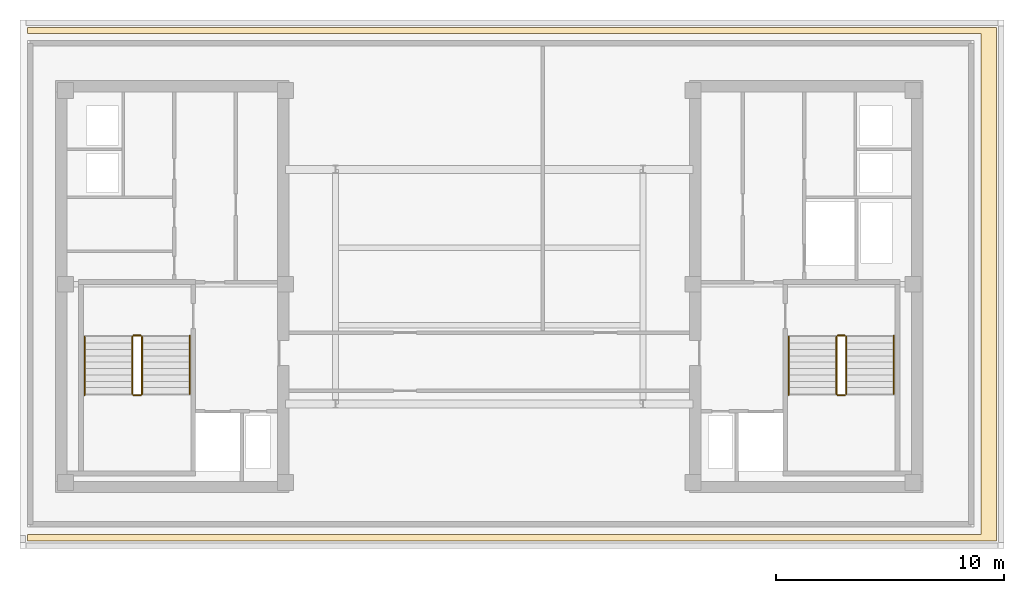
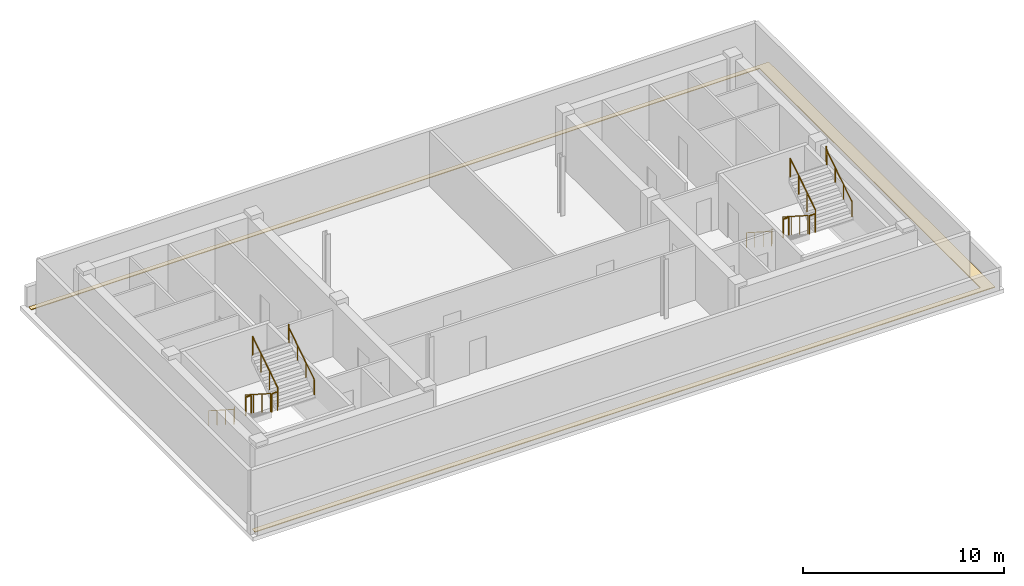
# One storey, part 5 of 5: 12 railings, 1 covering.
"""IFC4 building model written with IfcOpenShell, lengths in metres."""

from ifc_helpers import new_model, si_unit, direction, frame, origin, origin_2d, place, context, subcontext, project, spatial, polyline, circle, outline, extrude, material, layer, layer_set, type_object, element, save


model = new_model("IFC4")

# Units and contexts
model_context = context("Model", 3, precision=1e-05, world=origin(), true_north=direction((0.0, 1.0)))
body_context = subcontext(model_context, "Body", "Model", "MODEL_VIEW")
ifc_project = project(units=[si_unit("LENGTHUNIT", "METRE"), si_unit("AREAUNIT", "SQUARE_METRE"), si_unit("VOLUMEUNIT", "CUBIC_METRE"), si_unit("PLANEANGLEUNIT", "RADIAN"), si_unit("MASSUNIT", "GRAM", prefix="KILO")], contexts=[model_context])

# Site, building, storey
site_placement = place(None, origin())
site = spatial("IfcSite", under=ifc_project, at=site_placement, CompositionType="ELEMENT")
building_placement = place(site_placement, origin())
building = spatial("IfcBuilding", under=site, at=building_placement, Name="Velakula Bourse", CompositionType="ELEMENT")
storey_placement = place(building_placement, frame((0.0, 0.0, 301.35009765625)))
storey = spatial("IfcBuildingStorey", under=building, at=storey_placement, Name="L82", CompositionType="ELEMENT", Elevation=301.35009765625)

# Covering
ifc_material_1 = material(Name="Modified bitumen SBS waterproofing membrane", Category="bitumen")
ifc_layer = layer(ifc_material_1, 0.044921875, Name="Modified bitumen SBS waterproofing membrane", Category="bitumen")
ifc_layer_set = layer_set([ifc_layer], Name="Modified bitumen SBS waterproofing membrane")
covering_type = type_object("IfcCoveringType", Name="COV-ROOF-SBS-45", PredefinedType="ROOFING", material=ifc_layer_set)
covering_placement = place(storey_placement, origin())
element("IfcCovering", 1, at=covering_placement, inside=storey, type_object=covering_type, Name="L82 SBS Waterproofing Roof Membrane 1", PredefinedType="ROOFING", context=body_context, shape_type="SweptSolid", body=[
    extrude(outline(polyline([(-20.280029296875, -10.8798828125), (21.60009765625, -10.8798828125), (21.60009765625, 11.1201171875), (-20.280029296875, 11.1201171875), (-20.280029296875, 11.3798828125), (22.280029296875, 11.3798828125), (22.280029296875, -11.179931640625), (-20.280029296875, -11.179931640625), (-20.280029296875, -10.8798828125)])), origin(), (0.0, 0.0, 1.0), 0.044921875),
])

# Railings
ifc_material_2 = material(Name="Brushed grade 316 stainless steel", Category="steel")
railing_type_1 = type_object("IfcRailingType", Name="RLG-STAIR-GUARD-1150", PredefinedType="BALUSTRADE", material=ifc_material_2)
railing_1_placement = place(storey_placement, frame((-15.672119140625, -2.199951171875, 0.179931640625)))
element("IfcRailing", 2, at=railing_1_placement, inside=storey, type_object=railing_type_1, Name="L82 ST-W1 stair guard 1", PredefinedType="BALUSTRADE", context=body_context, shape_type="SweptSolid", body=[
    extrude(circle(Radius=0.02490234375, at=origin_2d()), frame((0.0, 0.0, 1.125), z_axis=(0.0, -0.841199657755, 0.540724639528), x_axis=(1.0, 0.0, 0.0)), (0.0, 0.0, 1.0), 2.995849609375),
    extrude(circle(Radius=0.02099609375, at=origin_2d()), origin(), (0.0, 0.0, 1.0), 1.099853515625),
    extrude(circle(Radius=0.02099609375, at=origin_2d()), frame((0.0, -0.840087890625, 0.5400390625)), (0.0, 0.0, 1.0), 1.099853515625),
    extrude(circle(Radius=0.02099609375, at=origin_2d()), frame((0.0, -1.679931640625, 1.079833984375)), (0.0, 0.0, 1.0), 1.099853515625),
    extrude(circle(Radius=0.02099609375, at=origin_2d()), frame((0.0, -2.52001953125, 1.619873046875)), (0.0, 0.0, 1.0), 1.099853515625),
])
railing_2_placement = place(storey_placement, frame((-15.6220703125, -4.77001953125, 1.7998046875)))
element("IfcRailing", 3, at=railing_2_placement, inside=storey, type_object=railing_type_1, Name="L82 ST-W1 stair guard 2", PredefinedType="BALUSTRADE", context=body_context, shape_type="SweptSolid", body=[
    extrude(circle(Radius=0.02490234375, at=origin_2d()), frame((0.0, 0.0, 1.125), z_axis=(1.0, 0.0, 0.0), x_axis=(0.0, 1.0, 0.0)), (0.0, 0.0, 1.0), 0.323974609375),
    extrude(circle(Radius=0.02099609375, at=origin_2d()), origin(), (0.0, 0.0, 1.0), 1.099853515625),
    extrude(circle(Radius=0.02099609375, at=origin_2d()), frame((0.323974609375, 0.0, 0.0)), (0.0, 0.0, 1.0), 1.099853515625),
])
railing_3_placement = place(storey_placement, frame((-15.248046875, -4.719970703125, 1.97998046875)))
element("IfcRailing", 4, at=railing_3_placement, inside=storey, type_object=railing_type_1, Name="L82 ST-W1 stair guard 3", PredefinedType="BALUSTRADE", context=body_context, shape_type="SweptSolid", body=[
    extrude(circle(Radius=0.02490234375, at=origin_2d()), frame((0.0, 0.0, 1.125), z_axis=(0.0, 0.841199657755, 0.540724639528), x_axis=(-1.0, 0.0, 0.0)), (0.0, 0.0, 1.0), 2.995849609375),
    extrude(circle(Radius=0.02099609375, at=origin_2d()), origin(), (0.0, 0.0, 1.0), 1.099853515625),
    extrude(circle(Radius=0.02099609375, at=origin_2d()), frame((0.0, 0.840087890625, 0.5400390625)), (0.0, 0.0, 1.0), 1.099853515625),
    extrude(circle(Radius=0.02099609375, at=origin_2d()), frame((0.0, 1.679931640625, 1.079833984375)), (0.0, 0.0, 1.0), 1.099853515625),
    extrude(circle(Radius=0.02099609375, at=origin_2d()), frame((0.0, 2.52001953125, 1.619873046875)), (0.0, 0.0, 1.0), 1.099853515625),
])
railing_4_placement = place(storey_placement, frame((-15.6220703125, -2.14990234375, 0.0)))
element("IfcRailing", 5, at=railing_4_placement, inside=storey, type_object=railing_type_1, Name="L82 ST-W1 stair guard 4", PredefinedType="BALUSTRADE", context=body_context, shape_type="SweptSolid", body=[
    extrude(circle(Radius=0.02490234375, at=origin_2d()), frame((0.0, 0.0, 1.125), z_axis=(1.0, 0.0, 0.0), x_axis=(0.0, 1.0, 0.0)), (0.0, 0.0, 1.0), 0.323974609375),
    extrude(circle(Radius=0.02099609375, at=origin_2d()), origin(), (0.0, 0.0, 1.0), 1.099853515625),
    extrude(circle(Radius=0.02099609375, at=origin_2d()), frame((0.323974609375, 0.0, 0.0)), (0.0, 0.0, 1.0), 1.099853515625),
])
railing_5_placement = place(storey_placement, frame((15.248046875, -2.199951171875, 0.179931640625)))
element("IfcRailing", 6, at=railing_5_placement, inside=storey, type_object=railing_type_1, Name="L82 ST-E1 stair guard 1", PredefinedType="BALUSTRADE", context=body_context, shape_type="SweptSolid", body=[
    extrude(circle(Radius=0.02490234375, at=origin_2d()), frame((0.0, 0.0, 1.125), z_axis=(0.0, -0.841199657755, 0.540724639528), x_axis=(1.0, 0.0, 0.0)), (0.0, 0.0, 1.0), 2.995849609375),
    extrude(circle(Radius=0.02099609375, at=origin_2d()), origin(), (0.0, 0.0, 1.0), 1.099853515625),
    extrude(circle(Radius=0.02099609375, at=origin_2d()), frame((0.0, -0.840087890625, 0.5400390625)), (0.0, 0.0, 1.0), 1.099853515625),
    extrude(circle(Radius=0.02099609375, at=origin_2d()), frame((0.0, -1.679931640625, 1.079833984375)), (0.0, 0.0, 1.0), 1.099853515625),
    extrude(circle(Radius=0.02099609375, at=origin_2d()), frame((0.0, -2.52001953125, 1.619873046875)), (0.0, 0.0, 1.0), 1.099853515625),
])
railing_6_placement = place(storey_placement, frame((15.298095703125, -4.77001953125, 1.7998046875)))
element("IfcRailing", 7, at=railing_6_placement, inside=storey, type_object=railing_type_1, Name="L82 ST-E1 stair guard 2", PredefinedType="BALUSTRADE", context=body_context, shape_type="SweptSolid", body=[
    extrude(circle(Radius=0.02490234375, at=origin_2d()), frame((0.0, 0.0, 1.125), z_axis=(1.0, 0.0, 0.0), x_axis=(0.0, 1.0, 0.0)), (0.0, 0.0, 1.0), 0.323974609375),
    extrude(circle(Radius=0.02099609375, at=origin_2d()), origin(), (0.0, 0.0, 1.0), 1.099853515625),
    extrude(circle(Radius=0.02099609375, at=origin_2d()), frame((0.323974609375, 0.0, 0.0)), (0.0, 0.0, 1.0), 1.099853515625),
])
railing_7_placement = place(storey_placement, frame((15.672119140625, -4.719970703125, 1.97998046875)))
element("IfcRailing", 8, at=railing_7_placement, inside=storey, type_object=railing_type_1, Name="L82 ST-E1 stair guard 3", PredefinedType="BALUSTRADE", context=body_context, shape_type="SweptSolid", body=[
    extrude(circle(Radius=0.02490234375, at=origin_2d()), frame((0.0, 0.0, 1.125), z_axis=(0.0, 0.841199657755, 0.540724639528), x_axis=(-1.0, 0.0, 0.0)), (0.0, 0.0, 1.0), 2.995849609375),
    extrude(circle(Radius=0.02099609375, at=origin_2d()), origin(), (0.0, 0.0, 1.0), 1.099853515625),
    extrude(circle(Radius=0.02099609375, at=origin_2d()), frame((0.0, 0.840087890625, 0.5400390625)), (0.0, 0.0, 1.0), 1.099853515625),
    extrude(circle(Radius=0.02099609375, at=origin_2d()), frame((0.0, 1.679931640625, 1.079833984375)), (0.0, 0.0, 1.0), 1.099853515625),
    extrude(circle(Radius=0.02099609375, at=origin_2d()), frame((0.0, 2.52001953125, 1.619873046875)), (0.0, 0.0, 1.0), 1.099853515625),
])
railing_8_placement = place(storey_placement, frame((15.298095703125, -2.14990234375, 0.0)))
element("IfcRailing", 9, at=railing_8_placement, inside=storey, type_object=railing_type_1, Name="L82 ST-E1 stair guard 4", PredefinedType="BALUSTRADE", context=body_context, shape_type="SweptSolid", body=[
    extrude(circle(Radius=0.02490234375, at=origin_2d()), frame((0.0, 0.0, 1.125), z_axis=(1.0, 0.0, 0.0), x_axis=(0.0, 1.0, 0.0)), (0.0, 0.0, 1.0), 0.323974609375),
    extrude(circle(Radius=0.02099609375, at=origin_2d()), origin(), (0.0, 0.0, 1.0), 1.099853515625),
    extrude(circle(Radius=0.02099609375, at=origin_2d()), frame((0.323974609375, 0.0, 0.0)), (0.0, 0.0, 1.0), 1.099853515625),
])
railing_type_2 = type_object("IfcRailingType", Name="RLG-STAIR-HAND-920", PredefinedType="HANDRAIL", material=ifc_material_2)
railing_9_placement = place(storey_placement, frame((-17.77001953125, -2.199951171875, 0.179931640625)))
element("IfcRailing", 10, at=railing_9_placement, inside=storey, type_object=railing_type_2, Name="L82 ST-W1 stair handrail 1", PredefinedType="HANDRAIL", context=body_context, shape_type="SweptSolid", body=[
    extrude(circle(Radius=0.02099609375, at=origin_2d()), frame((0.0, 0.0, 0.89892578125), z_axis=(0.0, -0.841199657755, 0.540724639528), x_axis=(1.0, 0.0, 0.0)), (0.0, 0.0, 1.0), 2.995849609375),
    extrude(circle(Radius=0.02099609375, at=origin_2d()), frame((0.0, -2.52001953125, 2.518798828125), z_axis=(0.0, -0.216930457819, 0.976187060184), x_axis=(1.0, 0.0, 0.0)), (0.0, 0.0, 1.0), 0.1845703125),
    extrude(circle(Radius=0.02099609375, at=origin_2d()), frame((0.0, -2.56005859375, 2.698974609375), z_axis=(0.0, -1.0, 0.0), x_axis=(1.0, 0.0, 0.0)), (0.0, 0.0, 1.0), 0.0048828125),
    extrude(circle(Radius=0.02099609375, at=origin_2d()), origin(), (0.0, 0.0, 1.0), 0.8779296875),
    extrude(circle(Radius=0.02099609375, at=origin_2d()), frame((0.0, -0.840087890625, 0.5400390625)), (0.0, 0.0, 1.0), 0.8779296875),
    extrude(circle(Radius=0.02099609375, at=origin_2d()), frame((0.0, -1.679931640625, 1.079833984375)), (0.0, 0.0, 1.0), 0.8779296875),
    extrude(circle(Radius=0.02099609375, at=origin_2d()), frame((0.0, -2.52001953125, 1.619873046875)), (0.0, 0.0, 1.0), 0.8779296875),
    extrude(circle(Radius=0.02099609375, at=origin_2d()), frame((0.0, -2.56005859375, 1.800048828125)), (0.0, 0.0, 1.0), 0.8779296875),
    extrude(circle(Radius=0.02099609375, at=origin_2d()), frame((0.0, -2.56494140625, 1.800048828125)), (0.0, 0.0, 1.0), 0.8779296875),
])
railing_10_placement = place(storey_placement, frame((-13.14990234375, -4.719970703125, 1.97998046875)))
element("IfcRailing", 11, at=railing_10_placement, inside=storey, type_object=railing_type_2, Name="L82 ST-W1 stair handrail 2", PredefinedType="HANDRAIL", context=body_context, shape_type="SweptSolid", body=[
    extrude(circle(Radius=0.02099609375, at=origin_2d()), frame((0.0, 0.0, 0.89892578125), z_axis=(0.0, 0.841199657755, 0.540724639528), x_axis=(-1.0, 0.0, 0.0)), (0.0, 0.0, 1.0), 2.995849609375),
    extrude(circle(Radius=0.02099609375, at=origin_2d()), frame((0.0, 2.52001953125, 2.518798828125), z_axis=(0.0, 0.217210922078, 0.976124692511), x_axis=(-1.0, 0.0, 0.0)), (0.0, 0.0, 1.0), 0.184326171875),
    extrude(circle(Radius=0.02099609375, at=origin_2d()), frame((0.0, 2.56005859375, 2.69873046875), z_axis=(0.0, 1.0, 0.0), x_axis=(-1.0, 0.0, 0.0)), (0.0, 0.0, 1.0), 0.0048828125),
    extrude(circle(Radius=0.02099609375, at=origin_2d()), origin(), (0.0, 0.0, 1.0), 0.8779296875),
    extrude(circle(Radius=0.02099609375, at=origin_2d()), frame((0.0, 0.840087890625, 0.5400390625)), (0.0, 0.0, 1.0), 0.8779296875),
    extrude(circle(Radius=0.02099609375, at=origin_2d()), frame((0.0, 1.679931640625, 1.079833984375)), (0.0, 0.0, 1.0), 0.8779296875),
    extrude(circle(Radius=0.02099609375, at=origin_2d()), frame((0.0, 2.52001953125, 1.619873046875)), (0.0, 0.0, 1.0), 0.8779296875),
    extrude(circle(Radius=0.02099609375, at=origin_2d()), frame((0.0, 2.56005859375, 1.7998046875)), (0.0, 0.0, 1.0), 0.8779296875),
    extrude(circle(Radius=0.02099609375, at=origin_2d()), frame((0.0, 2.56494140625, 1.7998046875)), (0.0, 0.0, 1.0), 0.8779296875),
])
railing_11_placement = place(storey_placement, frame((13.14990234375, -2.199951171875, 0.179931640625)))
element("IfcRailing", 12, at=railing_11_placement, inside=storey, type_object=railing_type_2, Name="L82 ST-E1 stair handrail 1", PredefinedType="HANDRAIL", context=body_context, shape_type="SweptSolid", body=[
    extrude(circle(Radius=0.02099609375, at=origin_2d()), frame((0.0, 0.0, 0.89892578125), z_axis=(0.0, -0.841199657755, 0.540724639528), x_axis=(1.0, 0.0, 0.0)), (0.0, 0.0, 1.0), 2.995849609375),
    extrude(circle(Radius=0.02099609375, at=origin_2d()), frame((0.0, -2.52001953125, 2.518798828125), z_axis=(0.0, -0.216930457819, 0.976187060184), x_axis=(1.0, 0.0, 0.0)), (0.0, 0.0, 1.0), 0.1845703125),
    extrude(circle(Radius=0.02099609375, at=origin_2d()), frame((0.0, -2.56005859375, 2.698974609375), z_axis=(0.0, -1.0, 0.0), x_axis=(1.0, 0.0, 0.0)), (0.0, 0.0, 1.0), 0.0048828125),
    extrude(circle(Radius=0.02099609375, at=origin_2d()), origin(), (0.0, 0.0, 1.0), 0.8779296875),
    extrude(circle(Radius=0.02099609375, at=origin_2d()), frame((0.0, -0.840087890625, 0.5400390625)), (0.0, 0.0, 1.0), 0.8779296875),
    extrude(circle(Radius=0.02099609375, at=origin_2d()), frame((0.0, -1.679931640625, 1.079833984375)), (0.0, 0.0, 1.0), 0.8779296875),
    extrude(circle(Radius=0.02099609375, at=origin_2d()), frame((0.0, -2.52001953125, 1.619873046875)), (0.0, 0.0, 1.0), 0.8779296875),
    extrude(circle(Radius=0.02099609375, at=origin_2d()), frame((0.0, -2.56005859375, 1.800048828125)), (0.0, 0.0, 1.0), 0.8779296875),
    extrude(circle(Radius=0.02099609375, at=origin_2d()), frame((0.0, -2.56494140625, 1.800048828125)), (0.0, 0.0, 1.0), 0.8779296875),
])
railing_12_placement = place(storey_placement, frame((17.77001953125, -4.719970703125, 1.97998046875)))
element("IfcRailing", 13, at=railing_12_placement, inside=storey, type_object=railing_type_2, Name="L82 ST-E1 stair handrail 2", PredefinedType="HANDRAIL", context=body_context, shape_type="SweptSolid", body=[
    extrude(circle(Radius=0.02099609375, at=origin_2d()), frame((0.0, 0.0, 0.89892578125), z_axis=(0.0, 0.841199657755, 0.540724639528), x_axis=(-1.0, 0.0, 0.0)), (0.0, 0.0, 1.0), 2.995849609375),
    extrude(circle(Radius=0.02099609375, at=origin_2d()), frame((0.0, 2.52001953125, 2.518798828125), z_axis=(0.0, 0.217210922078, 0.976124692511), x_axis=(-1.0, 0.0, 0.0)), (0.0, 0.0, 1.0), 0.184326171875),
    extrude(circle(Radius=0.02099609375, at=origin_2d()), frame((0.0, 2.56005859375, 2.69873046875), z_axis=(0.0, 1.0, 0.0), x_axis=(-1.0, 0.0, 0.0)), (0.0, 0.0, 1.0), 0.0048828125),
    extrude(circle(Radius=0.02099609375, at=origin_2d()), origin(), (0.0, 0.0, 1.0), 0.8779296875),
    extrude(circle(Radius=0.02099609375, at=origin_2d()), frame((0.0, 0.840087890625, 0.5400390625)), (0.0, 0.0, 1.0), 0.8779296875),
    extrude(circle(Radius=0.02099609375, at=origin_2d()), frame((0.0, 1.679931640625, 1.079833984375)), (0.0, 0.0, 1.0), 0.8779296875),
    extrude(circle(Radius=0.02099609375, at=origin_2d()), frame((0.0, 2.52001953125, 1.619873046875)), (0.0, 0.0, 1.0), 0.8779296875),
    extrude(circle(Radius=0.02099609375, at=origin_2d()), frame((0.0, 2.56005859375, 1.7998046875)), (0.0, 0.0, 1.0), 0.8779296875),
    extrude(circle(Radius=0.02099609375, at=origin_2d()), frame((0.0, 2.56494140625, 1.7998046875)), (0.0, 0.0, 1.0), 0.8779296875),
])

save(model, "model.ifc")
